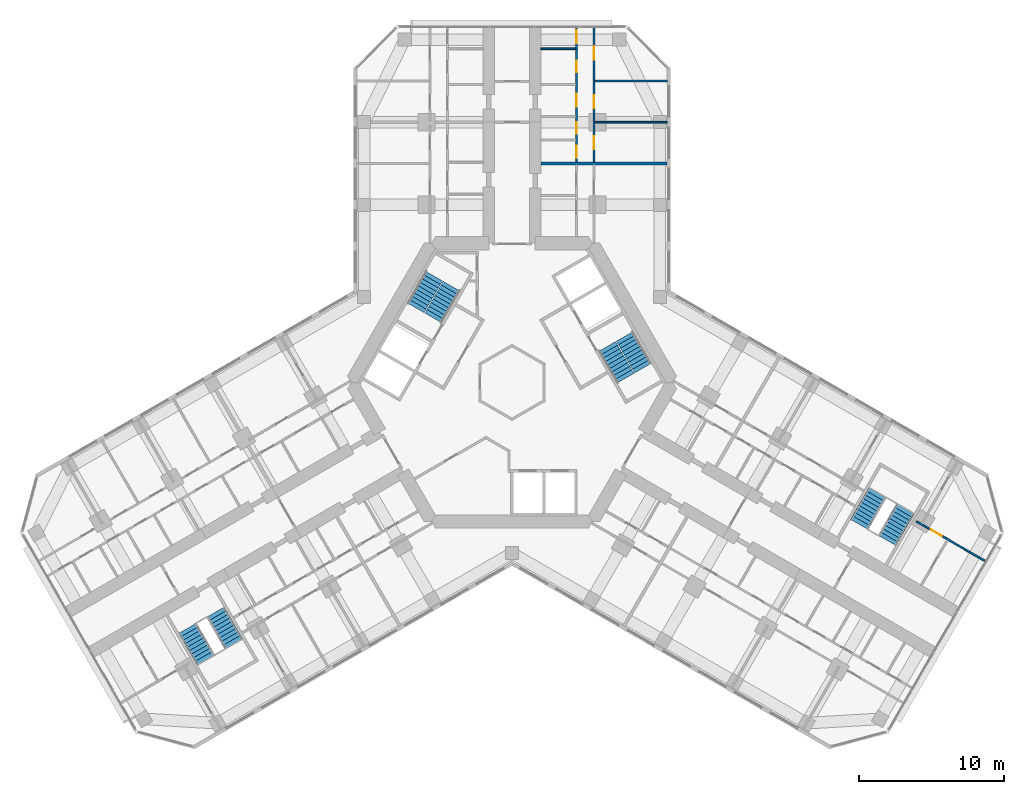
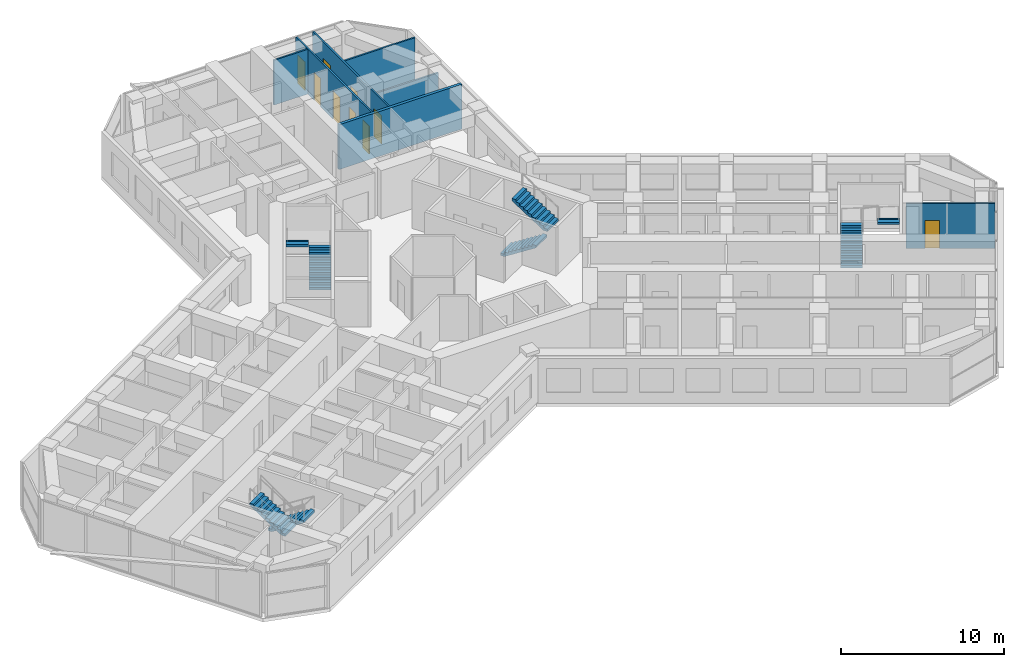
# One storey, part 18 of 19: 9 doors, 8 stair flights, 7 walls, 9 openings, 4 elements without a shape of their own.
"""IFC4 building model written with IfcOpenShell, lengths in metres."""

from ifc_helpers import new_model, si_unit, direction, frame, frame_2d, origin, place, context, subcontext, project, spatial, polyline, rectangle, outline, extrude, material, layer, layer_set, type_object, element, fill, aggregate, save


model = new_model("IFC4")

# Units and contexts
model_context = context("Model", 3, precision=1e-05, world=origin(), true_north=direction((0.0, 1.0)))
body_context = subcontext(model_context, "Body", "Model", "MODEL_VIEW")
ifc_project = project(units=[si_unit("LENGTHUNIT", "METRE"), si_unit("AREAUNIT", "SQUARE_METRE"), si_unit("VOLUMEUNIT", "CUBIC_METRE"), si_unit("PLANEANGLEUNIT", "RADIAN"), si_unit("MASSUNIT", "GRAM", prefix="KILO")], contexts=[model_context])

# Site, building, storey
site_placement = place(None, origin())
site = spatial("IfcSite", under=ifc_project, at=site_placement, CompositionType="ELEMENT")
building_placement = place(site_placement, origin())
building = spatial("IfcBuilding", under=site, at=building_placement, Name="Kosmar Iwan School Tower", CompositionType="ELEMENT")
storey_placement = place(building_placement, frame((0.0, 0.0, 145.39990234375)))
storey = spatial("IfcBuildingStorey", under=building, at=storey_placement, Name="L36", CompositionType="ELEMENT", Elevation=145.39990234375)

# Wall, openings, doors
ifc_material_1 = material(Name="Gypsum board on steel studs", Category="steel")
ifc_layer_1 = layer(ifc_material_1, 0.1201171875)
ifc_layer_set_1 = layer_set([ifc_layer_1], Name="Dwelling partition 120")
wall_type_1 = type_object("IfcWallType", Name="Dwelling partition 120", PredefinedType="PARTITIONING", material=ifc_layer_set_1)
wall_1_placement = place(storey_placement, frame((4.449951171875, 15.199951171875, 0.0), z_axis=(0.0, 0.0, 1.0), x_axis=(0.0, 1.0, 0.0)))
wall_1 = element("IfcWall", 1, at=wall_1_placement, inside=storey, type_object=wall_type_1, Name="Partition L36-AR2-W1", PredefinedType="PARTITIONING", context=body_context, shape_type="SweptSolid", body=[
    extrude(rectangle(XDim=9.2451171875, YDim=0.1201171875, at=frame_2d((4.62255859375, 0.0))), origin(), (0.0, 0.0, 1.0), 3.35009765625),
])
opening_1_placement = place(wall_1_placement, frame((0.3125, 0.0, 0.0)))
opening_1 = element("IfcOpeningElement", 2, at=opening_1_placement, cuts=wall_1, Name="Opening D3", PredefinedType="OPENING", context=body_context, shape_type="SweptSolid", body=[
    extrude(rectangle(XDim=0.800048828125, YDim=2.10009765625, at=frame_2d((0.39990234375, 1.050048828125))), frame((0.0, 0.072021484375, 0.0), z_axis=(0.0, -1.0, 0.0), x_axis=(1.0, 0.0, 0.0)), (0.0, 0.0, 1.0), 0.14404296875),
])
opening_2_placement = place(wall_1_placement, frame((1.9375, 0.0, 0.0)))
opening_2 = element("IfcOpeningElement", 3, at=opening_2_placement, cuts=wall_1, Name="Opening D3", PredefinedType="OPENING", context=body_context, shape_type="SweptSolid", body=[
    extrude(rectangle(XDim=0.800048828125, YDim=2.10009765625, at=frame_2d((0.39990234375, 1.050048828125))), frame((0.0, 0.072021484375, 0.0), z_axis=(0.0, -1.0, 0.0), x_axis=(1.0, 0.0, 0.0)), (0.0, 0.0, 1.0), 0.14404296875),
])
opening_3_placement = place(wall_1_placement, frame((3.800048828125, 0.0, 0.0)))
opening_3 = element("IfcOpeningElement", 4, at=opening_3_placement, cuts=wall_1, Name="Opening D2", PredefinedType="OPENING", context=body_context, shape_type="SweptSolid", body=[
    extrude(rectangle(XDim=0.89990234375, YDim=2.10009765625, at=frame_2d((0.449951171875, 1.050048828125))), frame((0.0, 0.072021484375, 0.0), z_axis=(0.0, -1.0, 0.0), x_axis=(1.0, 0.0, 0.0)), (0.0, 0.0, 1.0), 0.14404296875),
])
opening_4_placement = place(wall_1_placement, frame((6.179931640625, 0.0, 0.0)))
opening_4 = element("IfcOpeningElement", 5, at=opening_4_placement, cuts=wall_1, Name="Opening D3", PredefinedType="OPENING", context=body_context, shape_type="SweptSolid", body=[
    extrude(rectangle(XDim=0.800048828125, YDim=2.10009765625, at=frame_2d((0.39990234375, 1.050048828125))), frame((0.0, 0.072021484375, 0.0), z_axis=(0.0, -1.0, 0.0), x_axis=(1.0, 0.0, 0.0)), (0.0, 0.0, 1.0), 0.14404296875),
])
opening_5_placement = place(wall_1_placement, frame((8.179931640625, 0.0, 0.0)))
opening_5 = element("IfcOpeningElement", 6, at=opening_5_placement, cuts=wall_1, Name="Opening D2", PredefinedType="OPENING", context=body_context, shape_type="SweptSolid", body=[
    extrude(rectangle(XDim=0.89990234375, YDim=2.10009765625, at=frame_2d((0.449951171875, 1.050048828125))), frame((0.0, 0.072021484375, 0.0), z_axis=(0.0, -1.0, 0.0), x_axis=(1.0, 0.0, 0.0)), (0.0, 0.0, 1.0), 0.14404296875),
])
ifc_material_2 = material(Name="Timber door in timber frame", Category="wood")
door_type_1 = type_object("IfcDoorType", Name="Internal door 900x2100", OperationType="SINGLE_SWING_LEFT", PredefinedType="DOOR", material=ifc_material_2)
door_1_placement = place(opening_3_placement, origin())
door_1 = element("IfcDoor", 7, at=door_1_placement, inside=storey, type_object=door_type_1, Name="Entrance hall door L36-AR2-S3", OperationType="SINGLE_SWING_LEFT", OverallHeight=2.10009765625, OverallWidth=0.89990234375, PredefinedType="DOOR", context=body_context, shape_type="SweptSolid", body=[
    extrude(rectangle(XDim=0.89990234375, YDim=2.10009765625, at=frame_2d((0.449951171875, 1.050048828125))), frame((0.0, 0.02490234375, 0.0), z_axis=(0.0, -1.0, 0.0), x_axis=(1.0, 0.0, 0.0)), (0.0, 0.0, 1.0), 0.050048828125),
])
fill(opening_3, door_1)
door_2_placement = place(opening_5_placement, origin())
door_2 = element("IfcDoor", 8, at=door_2_placement, inside=storey, type_object=door_type_1, Name="Pantry door L36-AR2-S5", OperationType="SINGLE_SWING_RIGHT", OverallHeight=2.10009765625, OverallWidth=0.89990234375, PredefinedType="DOOR", context=body_context, shape_type="SweptSolid", body=[
    extrude(rectangle(XDim=0.89990234375, YDim=2.10009765625, at=frame_2d((0.449951171875, 1.050048828125))), frame((0.0, 0.02490234375, 0.0), z_axis=(0.0, -1.0, 0.0), x_axis=(1.0, 0.0, 0.0)), (0.0, 0.0, 1.0), 0.050048828125),
])
fill(opening_5, door_2)
ifc_material_3 = material(Name="Timber door in timber frame", Category="wood")
door_type_2 = type_object("IfcDoorType", Name="Sanitary room door 800x2100", OperationType="SINGLE_SWING_LEFT", PredefinedType="DOOR", material=ifc_material_3)
door_3_placement = place(opening_1_placement, origin())
door_3 = element("IfcDoor", 9, at=door_3_placement, inside=storey, type_object=door_type_2, Name="WC door L36-AR2-S1", OperationType="SINGLE_SWING_LEFT", OverallHeight=2.10009765625, OverallWidth=0.800048828125, PredefinedType="DOOR", context=body_context, shape_type="SweptSolid", body=[
    extrude(rectangle(XDim=0.800048828125, YDim=2.10009765625, at=frame_2d((0.39990234375, 1.050048828125))), frame((0.0, 0.02490234375, 0.0), z_axis=(0.0, -1.0, 0.0), x_axis=(1.0, 0.0, 0.0)), (0.0, 0.0, 1.0), 0.050048828125),
])
fill(opening_1, door_3)
door_4_placement = place(opening_2_placement, origin())
door_4 = element("IfcDoor", 10, at=door_4_placement, inside=storey, type_object=door_type_2, Name="Shower room door L36-AR2-S2", OperationType="SINGLE_SWING_RIGHT", OverallHeight=2.10009765625, OverallWidth=0.800048828125, PredefinedType="DOOR", context=body_context, shape_type="SweptSolid", body=[
    extrude(rectangle(XDim=0.800048828125, YDim=2.10009765625, at=frame_2d((0.39990234375, 1.050048828125))), frame((0.0, 0.02490234375, 0.0), z_axis=(0.0, -1.0, 0.0), x_axis=(1.0, 0.0, 0.0)), (0.0, 0.0, 1.0), 0.050048828125),
])
fill(opening_2, door_4)
door_5_placement = place(opening_4_placement, origin())
door_5 = element("IfcDoor", 11, at=door_5_placement, inside=storey, type_object=door_type_2, Name="Bathroom door L36-AR2-S4", OperationType="SINGLE_SWING_RIGHT", OverallHeight=2.10009765625, OverallWidth=0.800048828125, PredefinedType="DOOR", context=body_context, shape_type="SweptSolid", body=[
    extrude(rectangle(XDim=0.800048828125, YDim=2.10009765625, at=frame_2d((0.39990234375, 1.050048828125))), frame((0.0, 0.02490234375, 0.0), z_axis=(0.0, -1.0, 0.0), x_axis=(1.0, 0.0, 0.0)), (0.0, 0.0, 1.0), 0.050048828125),
])
fill(opening_4, door_5)

wall_2_placement = place(storey_placement, frame((5.64990234375, 15.199951171875, 0.0), z_axis=(0.0, 0.0, 1.0), x_axis=(0.0, 1.0, 0.0)))
wall_2 = element("IfcWall", 12, at=wall_2_placement, inside=storey, type_object=wall_type_1, Name="Partition L36-AR2-W2", PredefinedType="PARTITIONING", context=body_context, shape_type="SweptSolid", body=[
    extrude(rectangle(XDim=9.2451171875, YDim=0.1201171875, at=frame_2d((4.62255859375, 0.0))), origin(), (0.0, 0.0, 1.0), 3.35009765625),
])
opening_6_placement = place(wall_2_placement, frame((0.875, 0.0, 0.0)))
opening_6 = element("IfcOpeningElement", 13, at=opening_6_placement, cuts=wall_2, Name="Opening D2", PredefinedType="OPENING", context=body_context, shape_type="SweptSolid", body=[
    extrude(rectangle(XDim=0.89990234375, YDim=2.10009765625, at=frame_2d((0.449951171875, 1.050048828125))), frame((0.0, 0.072021484375, 0.0), z_axis=(0.0, -1.0, 0.0), x_axis=(1.0, 0.0, 0.0)), (0.0, 0.0, 1.0), 0.14404296875),
])
opening_7_placement = place(wall_2_placement, frame((3.72509765625, 0.0, 0.0)))
opening_7 = element("IfcOpeningElement", 14, at=opening_7_placement, cuts=wall_2, Name="Opening D2", PredefinedType="OPENING", context=body_context, shape_type="SweptSolid", body=[
    extrude(rectangle(XDim=0.89990234375, YDim=2.10009765625, at=frame_2d((0.449951171875, 1.050048828125))), frame((0.0, 0.072021484375, 0.0), z_axis=(0.0, -1.0, 0.0), x_axis=(1.0, 0.0, 0.0)), (0.0, 0.0, 1.0), 0.14404296875),
])
opening_8_placement = place(wall_2_placement, frame((7.074951171875, 0.0, 0.0)))
opening_8 = element("IfcOpeningElement", 15, at=opening_8_placement, cuts=wall_2, Name="Opening D2", PredefinedType="OPENING", context=body_context, shape_type="SweptSolid", body=[
    extrude(rectangle(XDim=0.89990234375, YDim=2.10009765625, at=frame_2d((0.449951171875, 1.050048828125))), frame((0.0, 0.072021484375, 0.0), z_axis=(0.0, -1.0, 0.0), x_axis=(1.0, 0.0, 0.0)), (0.0, 0.0, 1.0), 0.14404296875),
])
door_6_placement = place(opening_6_placement, origin())
door_6 = element("IfcDoor", 16, at=door_6_placement, inside=storey, type_object=door_type_1, Name="Family room and kitchen door L36-AR2-F1", OperationType="SINGLE_SWING_LEFT", OverallHeight=2.10009765625, OverallWidth=0.89990234375, PredefinedType="DOOR", context=body_context, shape_type="SweptSolid", body=[
    extrude(rectangle(XDim=0.89990234375, YDim=2.10009765625, at=frame_2d((0.449951171875, 1.050048828125))), frame((0.0, 0.02490234375, 0.0), z_axis=(0.0, -1.0, 0.0), x_axis=(1.0, 0.0, 0.0)), (0.0, 0.0, 1.0), 0.050048828125),
])
fill(opening_6, door_6)
door_7_placement = place(opening_7_placement, origin())
door_7 = element("IfcDoor", 17, at=door_7_placement, inside=storey, type_object=door_type_1, Name="Bedroom 1 door L36-AR2-F2", OperationType="SINGLE_SWING_LEFT", OverallHeight=2.10009765625, OverallWidth=0.89990234375, PredefinedType="DOOR", context=body_context, shape_type="SweptSolid", body=[
    extrude(rectangle(XDim=0.89990234375, YDim=2.10009765625, at=frame_2d((0.449951171875, 1.050048828125))), frame((0.0, 0.02490234375, 0.0), z_axis=(0.0, -1.0, 0.0), x_axis=(1.0, 0.0, 0.0)), (0.0, 0.0, 1.0), 0.050048828125),
])
fill(opening_7, door_7)
door_8_placement = place(opening_8_placement, origin())
door_8 = element("IfcDoor", 18, at=door_8_placement, inside=storey, type_object=door_type_1, Name="Bedroom 2 door L36-AR2-F3", OperationType="SINGLE_SWING_RIGHT", OverallHeight=2.10009765625, OverallWidth=0.89990234375, PredefinedType="DOOR", context=body_context, shape_type="SweptSolid", body=[
    extrude(rectangle(XDim=0.89990234375, YDim=2.10009765625, at=frame_2d((0.449951171875, 1.050048828125))), frame((0.0, 0.02490234375, 0.0), z_axis=(0.0, -1.0, 0.0), x_axis=(1.0, 0.0, 0.0)), (0.0, 0.0, 1.0), 0.050048828125),
])
fill(opening_8, door_8)

# Walls
wall_3_placement = place(storey_placement, frame((5.7099609375, 17.949951171875, 0.0), z_axis=(0.0, 0.0, 1.0), x_axis=(1.0, 0.0, 0.0)))
element("IfcWall", 19, at=wall_3_placement, inside=storey, type_object=wall_type_1, Name="Partition L36-AR2-X1", PredefinedType="PARTITIONING", context=body_context, shape_type="SweptSolid", body=[
    extrude(rectangle(XDim=4.989990234375, YDim=0.1201171875, at=frame_2d((2.4951171875, 0.0))), origin(), (0.0, 0.0, 1.0), 2.4501953125),
])
wall_4_placement = place(storey_placement, frame((5.7099609375, 20.800048828125, 0.0), z_axis=(0.0, 0.0, 1.0), x_axis=(1.0, 0.0, 0.0)))
element("IfcWall", 20, at=wall_4_placement, inside=storey, type_object=wall_type_1, Name="Partition L36-AR2-X2", PredefinedType="PARTITIONING", context=body_context, shape_type="SweptSolid", body=[
    extrude(rectangle(XDim=4.989990234375, YDim=0.1201171875, at=frame_2d((2.4951171875, 0.0))), origin(), (0.0, 0.0, 1.0), 3.35009765625),
])
wall_5_placement = place(storey_placement, frame((2.0, 23.010009765625, 0.0), z_axis=(0.0, 0.0, 1.0), x_axis=(1.0, 0.0, 0.0)))
element("IfcWall", 21, at=wall_5_placement, inside=storey, type_object=wall_type_1, Name="Partition L36-AR2-Y4", PredefinedType="PARTITIONING", context=body_context, shape_type="SweptSolid", body=[
    extrude(rectangle(XDim=2.389892578125, YDim=0.1201171875, at=frame_2d((1.19482421875, 0.0))), origin(), (0.0, 0.0, 1.0), 3.35009765625),
])

# Wall, opening, door
wall_6_placement = place(storey_placement, frame((27.896484375, -9.58203125, 0.0), z_axis=(0.0, 0.0, 1.0), x_axis=(0.866035508231, -0.499982498177, 0.0)))
wall_6 = element("IfcWall", 22, at=wall_6_placement, inside=storey, type_object=wall_type_1, Name="Partition L36-CL2-TW", PredefinedType="PARTITIONING", context=body_context, shape_type="SweptSolid", body=[
    extrude(rectangle(XDim=5.445068359375, YDim=0.1201171875, at=frame_2d((2.72265625, 0.0))), origin(), (0.0, 0.0, 1.0), 3.35009765625),
])
opening_9_placement = place(wall_6_placement, frame((1.14990234375, 0.0, 0.0)))
opening_9 = element("IfcOpeningElement", 23, at=opening_9_placement, cuts=wall_6, Name="Opening D2", PredefinedType="OPENING", context=body_context, shape_type="SweptSolid", body=[
    extrude(rectangle(XDim=0.89990234375, YDim=2.10009765625, at=frame_2d((0.449951171875, 1.050048828125))), frame((0.0, 0.072021484375, 0.0), z_axis=(0.0, -1.0, 0.0), x_axis=(1.0, 0.0, 0.0)), (0.0, 0.0, 1.0), 0.14404296875),
])
door_9_placement = place(opening_9_placement, origin())
door_9 = element("IfcDoor", 24, at=door_9_placement, inside=storey, type_object=door_type_1, Name="Dressing room door L36-CL2-T3", OperationType="SINGLE_SWING_LEFT", OverallHeight=2.10009765625, OverallWidth=0.89990234375, PredefinedType="DOOR", context=body_context, shape_type="SweptSolid", body=[
    extrude(rectangle(XDim=0.89990234375, YDim=2.10009765625, at=frame_2d((0.449951171875, 1.050048828125))), frame((0.0, 0.02490234375, 0.0), z_axis=(0.0, -1.0, 0.0), x_axis=(1.0, 0.0, 0.0)), (0.0, 0.0, 1.0), 0.050048828125),
])
fill(opening_9, door_9)

# Wall
ifc_material_4 = material(Name="Concrete block masonry", Category="masonry")
ifc_layer_2 = layer(ifc_material_4, 0.199951171875)
ifc_layer_set_2 = layer_set([ifc_layer_2], Name="Party wall 200")
wall_type_2 = type_object("IfcWallType", Name="Party wall 200", PredefinedType="PARTITIONING", material=ifc_layer_set_2)
wall_7_placement = place(storey_placement, frame((2.0, 15.10009765625, 0.0), z_axis=(0.0, 0.0, 1.0), x_axis=(1.0, 0.0, 0.0)))
element("IfcWall", 25, at=wall_7_placement, inside=storey, type_object=wall_type_2, Name="Partition L36-AR2-PW", PredefinedType="PARTITIONING", context=body_context, shape_type="SweptSolid", body=[
    extrude(rectangle(XDim=8.699951171875, YDim=0.199951171875, at=frame_2d((4.35009765625, 0.0))), origin(), (0.0, 0.0, 1.0), 3.35009765625),
])

# Stair, stair flights
ifc_material_5 = material(Name="Concrete C35/45", Category="concrete")
stair_type_1 = type_object("IfcStairType", Name="Escape stair 3600", PredefinedType="HALF_TURN_STAIR", material=ifc_material_5)
stair_1_placement = place(storey_placement, origin())
stair_1 = element("IfcStair", 26, at=stair_1_placement, inside=storey, type_object=stair_type_1, Name="Stair WS2 L36", PredefinedType="HALF_TURN_STAIR")
ifc_material_6 = material(Name="Concrete C35/45", Category="concrete")
stair_flight_type_1 = type_object("IfcStairFlightType", Name="Escape stair flight 1350", PredefinedType="STRAIGHT", material=ifc_material_6)
stair_flight_1_placement = place(storey_placement, frame((-20.44189453125, -15.843505859375, 0.0), z_axis=(0.0, 0.0, 1.0), x_axis=(0.5, -0.866025403784, 0.0)))
stair_flight_1 = element("IfcStairFlight", 27, at=stair_flight_1_placement, type_object=stair_flight_type_1, Name="WS2 flight 1", NumberOfRisers=10, NumberOfTreads=9, PredefinedType="STRAIGHT", RiserHeight=0.18, TreadLength=0.28, context=body_context, shape_type="SweptSolid", body=[
    extrude(outline(polyline([(0.0, 0.0), (0.0, 0.179931640625), (0.280029296875, 0.179931640625), (0.280029296875, 0.360107421875), (0.56005859375, 0.360107421875), (0.56005859375, 0.5400390625), (0.840087890625, 0.5400390625), (0.840087890625, 0.719970703125), (1.1201171875, 0.719970703125), (1.1201171875, 0.89990234375), (1.39990234375, 0.89990234375), (1.39990234375, 1.080078125), (1.679931640625, 1.080078125), (1.679931640625, 1.260009765625), (1.9599609375, 1.260009765625), (1.9599609375, 1.43994140625), (2.239990234375, 1.43994140625), (2.239990234375, 1.6201171875), (2.52001953125, 1.6201171875), (2.52001953125, 1.800048828125), (2.52001953125, 1.44189453125), (0.277099609375, 0.0), (0.0, 0.0)])), frame((0.0, 0.675048828125, 0.0), z_axis=(0.0, -1.0, 0.0), x_axis=(1.0, 0.0, 0.0)), (0.0, 0.0, 1.0), 1.35009765625),
])
stair_flight_2_placement = place(storey_placement, frame((-21.13037109375, -19.15087890625, 1.800048828125), z_axis=(0.0, 0.0, 1.0), x_axis=(-0.5, 0.866025403784, 0.0)))
stair_flight_2 = element("IfcStairFlight", 28, at=stair_flight_2_placement, type_object=stair_flight_type_1, Name="WS2 flight 2", NumberOfRisers=10, NumberOfTreads=9, PredefinedType="STRAIGHT", RiserHeight=0.18, TreadLength=0.28, context=body_context, shape_type="SweptSolid", body=[
    extrude(outline(polyline([(0.0, 0.0), (0.0, 0.179931640625), (0.280029296875, 0.179931640625), (0.280029296875, 0.360107421875), (0.56005859375, 0.360107421875), (0.56005859375, 0.5400390625), (0.840087890625, 0.5400390625), (0.840087890625, 0.719970703125), (1.1201171875, 0.719970703125), (1.1201171875, 0.89990234375), (1.39990234375, 0.89990234375), (1.39990234375, 1.080078125), (1.679931640625, 1.080078125), (1.679931640625, 1.260009765625), (1.9599609375, 1.260009765625), (1.9599609375, 1.43994140625), (2.239990234375, 1.43994140625), (2.239990234375, 1.6201171875), (2.52001953125, 1.6201171875), (2.52001953125, 1.800048828125), (2.52001953125, 1.44189453125), (0.277099609375, 0.0), (0.0, 0.0)])), frame((0.0, 0.675048828125, 0.0), z_axis=(0.0, -1.0, 0.0), x_axis=(1.0, 0.0, 0.0)), (0.0, 0.0, 1.0), 1.35009765625),
])
aggregate(stair_1, [stair_flight_1, stair_flight_2])

stair_2_placement = place(storey_placement, origin())
stair_2 = element("IfcStair", 29, at=stair_2_placement, inside=storey, type_object=stair_type_1, Name="Stair WS3 L36", PredefinedType="HALF_TURN_STAIR")
stair_flight_3_placement = place(storey_placement, frame((23.94189453125, -9.781494140625, 0.0), z_axis=(0.0, 0.0, 1.0), x_axis=(0.5, 0.866025403784, 0.0)))
stair_flight_3 = element("IfcStairFlight", 30, at=stair_flight_3_placement, type_object=stair_flight_type_1, Name="WS3 flight 1", NumberOfRisers=10, NumberOfTreads=9, PredefinedType="STRAIGHT", RiserHeight=0.18, TreadLength=0.28, context=body_context, shape_type="SweptSolid", body=[
    extrude(outline(polyline([(0.0, 0.0), (0.0, 0.179931640625), (0.280029296875, 0.179931640625), (0.280029296875, 0.360107421875), (0.56005859375, 0.360107421875), (0.56005859375, 0.5400390625), (0.840087890625, 0.5400390625), (0.840087890625, 0.719970703125), (1.1201171875, 0.719970703125), (1.1201171875, 0.89990234375), (1.39990234375, 0.89990234375), (1.39990234375, 1.080078125), (1.679931640625, 1.080078125), (1.679931640625, 1.260009765625), (1.9599609375, 1.260009765625), (1.9599609375, 1.43994140625), (2.239990234375, 1.43994140625), (2.239990234375, 1.6201171875), (2.52001953125, 1.6201171875), (2.52001953125, 1.800048828125), (2.52001953125, 1.44189453125), (0.277099609375, 0.0), (0.0, 0.0)])), frame((0.0, 0.675048828125, 0.0), z_axis=(0.0, -1.0, 0.0), x_axis=(1.0, 0.0, 0.0)), (0.0, 0.0, 1.0), 1.35009765625),
])
stair_flight_4_placement = place(storey_placement, frame((27.150390625, -8.72412109375, 1.800048828125), z_axis=(0.0, 0.0, 1.0), x_axis=(-0.5, -0.866025403784, 0.0)))
stair_flight_4 = element("IfcStairFlight", 31, at=stair_flight_4_placement, type_object=stair_flight_type_1, Name="WS3 flight 2", NumberOfRisers=10, NumberOfTreads=9, PredefinedType="STRAIGHT", RiserHeight=0.18, TreadLength=0.28, context=body_context, shape_type="SweptSolid", body=[
    extrude(outline(polyline([(0.0, 0.0), (0.0, 0.179931640625), (0.280029296875, 0.179931640625), (0.280029296875, 0.360107421875), (0.56005859375, 0.360107421875), (0.56005859375, 0.5400390625), (0.840087890625, 0.5400390625), (0.840087890625, 0.719970703125), (1.1201171875, 0.719970703125), (1.1201171875, 0.89990234375), (1.39990234375, 0.89990234375), (1.39990234375, 1.080078125), (1.679931640625, 1.080078125), (1.679931640625, 1.260009765625), (1.9599609375, 1.260009765625), (1.9599609375, 1.43994140625), (2.239990234375, 1.43994140625), (2.239990234375, 1.6201171875), (2.52001953125, 1.6201171875), (2.52001953125, 1.800048828125), (2.52001953125, 1.44189453125), (0.277099609375, 0.0), (0.0, 0.0)])), frame((0.0, 0.675048828125, 0.0), z_axis=(0.0, -1.0, 0.0), x_axis=(1.0, 0.0, 0.0)), (0.0, 0.0, 1.0), 1.35009765625),
])
aggregate(stair_2, [stair_flight_3, stair_flight_4])

ifc_material_7 = material(Name="Concrete C35/45", Category="concrete")
stair_type_2 = type_object("IfcStairType", Name="Core stair 2750", PredefinedType="HALF_TURN_STAIR", material=ifc_material_7)
stair_3_placement = place(storey_placement, origin())
stair_3 = element("IfcStair", 32, at=stair_3_placement, inside=storey, type_object=stair_type_2, Name="Stair ST2 L36", PredefinedType="HALF_TURN_STAIR")
ifc_material_8 = material(Name="Concrete C35/45", Category="concrete")
stair_flight_type_2 = type_object("IfcStairFlightType", Name="Stair flight 1350", PredefinedType="STRAIGHT", material=ifc_material_8)
stair_flight_5_placement = place(storey_placement, frame((-5.42724609375, 4.44970703125, 0.0), z_axis=(0.0, 0.0, 1.0), x_axis=(0.5, 0.866025403784, 0.0)))
stair_flight_5 = element("IfcStairFlight", 33, at=stair_flight_5_placement, type_object=stair_flight_type_2, Name="ST2 flight 1", NumberOfRisers=10, NumberOfTreads=9, PredefinedType="STRAIGHT", RiserHeight=0.18, TreadLength=0.28, context=body_context, shape_type="SweptSolid", body=[
    extrude(outline(polyline([(0.0, 0.0), (0.0, 0.179931640625), (0.280029296875, 0.179931640625), (0.280029296875, 0.360107421875), (0.56005859375, 0.360107421875), (0.56005859375, 0.5400390625), (0.840087890625, 0.5400390625), (0.840087890625, 0.719970703125), (1.1201171875, 0.719970703125), (1.1201171875, 0.89990234375), (1.39990234375, 0.89990234375), (1.39990234375, 1.080078125), (1.679931640625, 1.080078125), (1.679931640625, 1.260009765625), (1.9599609375, 1.260009765625), (1.9599609375, 1.43994140625), (2.239990234375, 1.43994140625), (2.239990234375, 1.6201171875), (2.52001953125, 1.6201171875), (2.52001953125, 1.800048828125), (2.52001953125, 1.44189453125), (0.277099609375, 0.0), (0.0, 0.0)])), frame((0.0, 0.675048828125, 0.0), z_axis=(0.0, -1.0, 0.0), x_axis=(1.0, 0.0, 0.0)), (0.0, 0.0, 1.0), 1.35009765625),
])
stair_flight_6_placement = place(storey_placement, frame((-5.379638671875, 7.33203125, 1.800048828125), z_axis=(0.0, 0.0, 1.0), x_axis=(-0.5, -0.866025403784, 0.0)))
stair_flight_6 = element("IfcStairFlight", 34, at=stair_flight_6_placement, type_object=stair_flight_type_2, Name="ST2 flight 2", NumberOfRisers=10, NumberOfTreads=9, PredefinedType="STRAIGHT", RiserHeight=0.18, TreadLength=0.28, context=body_context, shape_type="SweptSolid", body=[
    extrude(outline(polyline([(0.0, 0.0), (0.0, 0.179931640625), (0.280029296875, 0.179931640625), (0.280029296875, 0.360107421875), (0.56005859375, 0.360107421875), (0.56005859375, 0.5400390625), (0.840087890625, 0.5400390625), (0.840087890625, 0.719970703125), (1.1201171875, 0.719970703125), (1.1201171875, 0.89990234375), (1.39990234375, 0.89990234375), (1.39990234375, 1.080078125), (1.679931640625, 1.080078125), (1.679931640625, 1.260009765625), (1.9599609375, 1.260009765625), (1.9599609375, 1.43994140625), (2.239990234375, 1.43994140625), (2.239990234375, 1.6201171875), (2.52001953125, 1.6201171875), (2.52001953125, 1.800048828125), (2.52001953125, 1.44189453125), (0.277099609375, 0.0), (0.0, 0.0)])), frame((0.0, 0.675048828125, 0.0), z_axis=(0.0, -1.0, 0.0), x_axis=(1.0, 0.0, 0.0)), (0.0, 0.0, 1.0), 1.35009765625),
])
aggregate(stair_3, [stair_flight_5, stair_flight_6])

stair_4_placement = place(storey_placement, origin())
stair_4 = element("IfcStair", 35, at=stair_4_placement, inside=storey, type_object=stair_type_2, Name="Stair ST1 L36", PredefinedType="HALF_TURN_STAIR")
stair_flight_7_placement = place(storey_placement, frame((6.567138671875, 2.475341796875, 0.0), z_axis=(0.0, 0.0, 1.0), x_axis=(0.5, -0.866025403784, 0.0)))
stair_flight_7 = element("IfcStairFlight", 36, at=stair_flight_7_placement, type_object=stair_flight_type_2, Name="ST1 flight 1", NumberOfRisers=10, NumberOfTreads=9, PredefinedType="STRAIGHT", RiserHeight=0.18, TreadLength=0.28, context=body_context, shape_type="SweptSolid", body=[
    extrude(outline(polyline([(0.0, 0.0), (0.0, 0.179931640625), (0.280029296875, 0.179931640625), (0.280029296875, 0.360107421875), (0.56005859375, 0.360107421875), (0.56005859375, 0.5400390625), (0.840087890625, 0.5400390625), (0.840087890625, 0.719970703125), (1.1201171875, 0.719970703125), (1.1201171875, 0.89990234375), (1.39990234375, 0.89990234375), (1.39990234375, 1.080078125), (1.679931640625, 1.080078125), (1.679931640625, 1.260009765625), (1.9599609375, 1.260009765625), (1.9599609375, 1.43994140625), (2.239990234375, 1.43994140625), (2.239990234375, 1.6201171875), (2.52001953125, 1.6201171875), (2.52001953125, 1.800048828125), (2.52001953125, 1.44189453125), (0.277099609375, 0.0), (0.0, 0.0)])), frame((0.0, 0.675048828125, 0.0), z_axis=(0.0, -1.0, 0.0), x_axis=(1.0, 0.0, 0.0)), (0.0, 0.0, 1.0), 1.35009765625),
])
stair_flight_8_placement = place(storey_placement, frame((9.03955078125, 0.992919921875, 1.800048828125), z_axis=(0.0, 0.0, 1.0), x_axis=(-0.5, 0.866025403784, 0.0)))
stair_flight_8 = element("IfcStairFlight", 37, at=stair_flight_8_placement, type_object=stair_flight_type_2, Name="ST1 flight 2", NumberOfRisers=10, NumberOfTreads=9, PredefinedType="STRAIGHT", RiserHeight=0.18, TreadLength=0.28, context=body_context, shape_type="SweptSolid", body=[
    extrude(outline(polyline([(0.0, 0.0), (0.0, 0.179931640625), (0.280029296875, 0.179931640625), (0.280029296875, 0.360107421875), (0.56005859375, 0.360107421875), (0.56005859375, 0.5400390625), (0.840087890625, 0.5400390625), (0.840087890625, 0.719970703125), (1.1201171875, 0.719970703125), (1.1201171875, 0.89990234375), (1.39990234375, 0.89990234375), (1.39990234375, 1.080078125), (1.679931640625, 1.080078125), (1.679931640625, 1.260009765625), (1.9599609375, 1.260009765625), (1.9599609375, 1.43994140625), (2.239990234375, 1.43994140625), (2.239990234375, 1.6201171875), (2.52001953125, 1.6201171875), (2.52001953125, 1.800048828125), (2.52001953125, 1.44189453125), (0.277099609375, 0.0), (0.0, 0.0)])), frame((0.0, 0.675048828125, 0.0), z_axis=(0.0, -1.0, 0.0), x_axis=(1.0, 0.0, 0.0)), (0.0, 0.0, 1.0), 1.35009765625),
])
aggregate(stair_4, [stair_flight_7, stair_flight_8])

save(model, "model.ifc")
